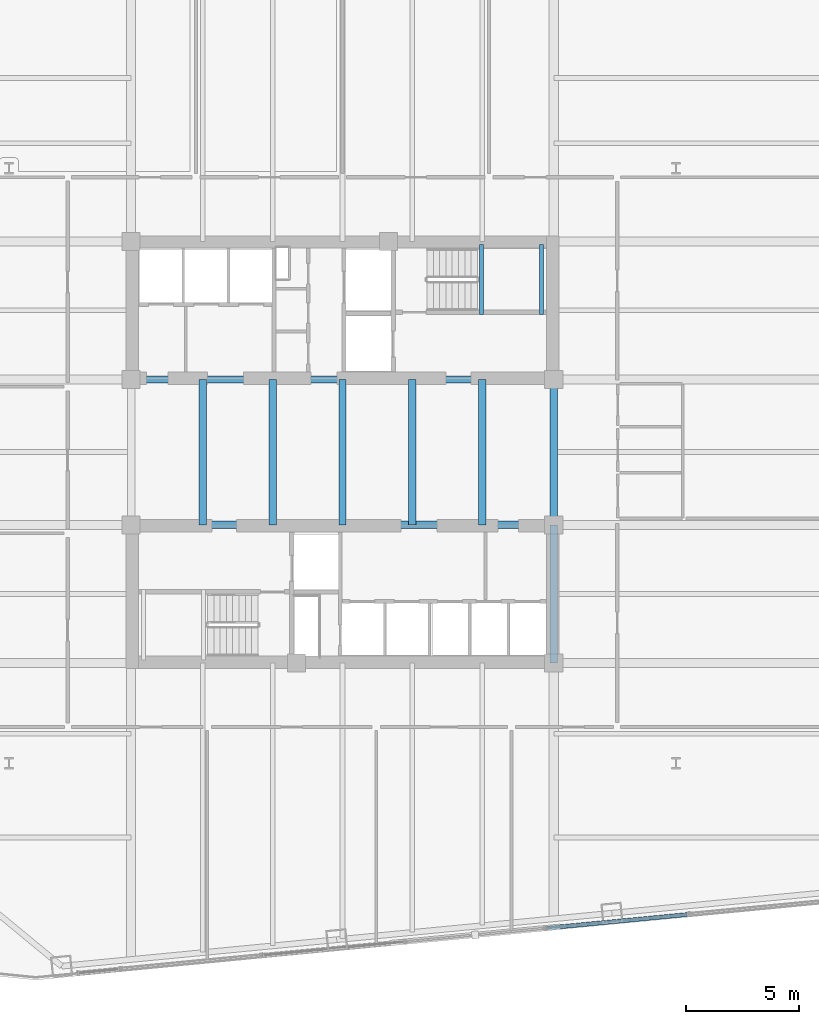
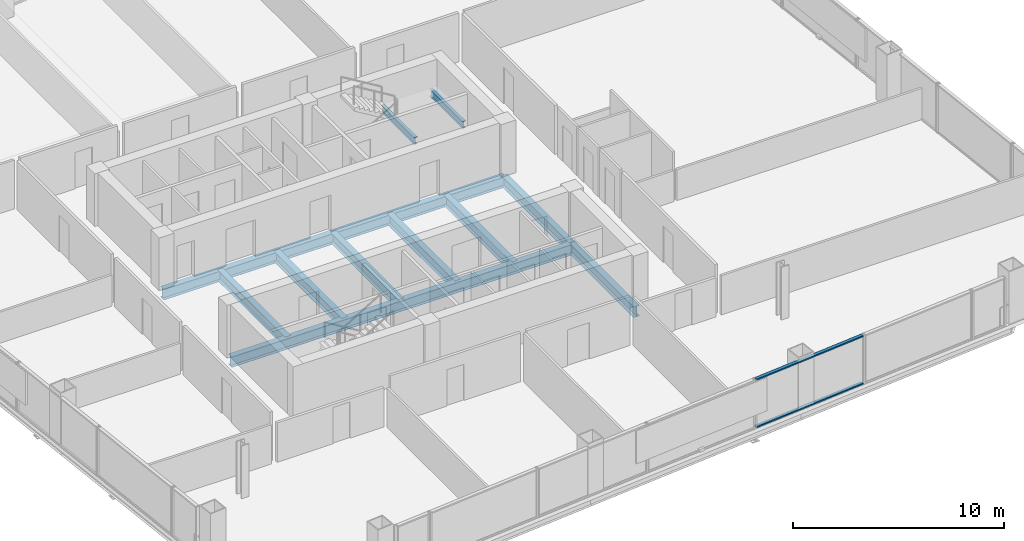
# One storey, part 9 of 28: 11 beams, 2 members, 1 element without a shape of its own.
"""IFC4 building model written with IfcOpenShell, lengths in metres."""

from ifc_helpers import new_model, si_unit, direction, frame, origin, origin_2d, place, context, subcontext, project, spatial, hollow_rectangle, i_section, extrude, material, layer, layer_set, material_profile, profile_set, type_object, element, aggregate, save


model = new_model("IFC4")

# Units and contexts
model_context = context("Model", 3, precision=1e-05, world=origin(), true_north=direction((0.0, 1.0)))
body_context = subcontext(model_context, "Body", "Model", "MODEL_VIEW")
ifc_project = project(units=[si_unit("LENGTHUNIT", "METRE"), si_unit("AREAUNIT", "SQUARE_METRE"), si_unit("VOLUMEUNIT", "CUBIC_METRE"), si_unit("PLANEANGLEUNIT", "RADIAN"), si_unit("MASSUNIT", "GRAM", prefix="KILO")], contexts=[model_context])

# Site, building, storey
site_placement = place(None, origin())
site = spatial("IfcSite", under=ifc_project, at=site_placement, CompositionType="ELEMENT")
building_placement = place(site_placement, origin())
building = spatial("IfcBuilding", under=site, at=building_placement, Name="Qhalaya Broadcast Tower", CompositionType="ELEMENT")
storey_placement = place(building_placement, frame((0.0, 0.0, 90.800048828125)))
storey = spatial("IfcBuildingStorey", under=building, at=storey_placement, Name="L26", CompositionType="ELEMENT", Elevation=90.800048828125)

# Beams
ifc_material_1 = material(Name="Structural Steel ASTM A992 Grade 50", Category="steel")
ifc_material_profile_1 = material_profile(ifc_material_1, i_section(OverallWidth=0.323974609375, OverallDepth=0.612060546875, WebThickness=0.0126953125, FlangeThickness=0.01904296875, at=origin_2d()), Name="W24X104")
ifc_profile_set_1 = profile_set([ifc_material_profile_1], Name="Structural Steel ASTM A992 Grade 50")
beam_type_1 = type_object("IfcBeamType", Name="Core Frame Tie Beam B04", PredefinedType="BEAM", material=ifc_profile_set_1)
for number, where, z_axis, x_axis, name in (
    (1, (-9.375, 3.824951171875, -0.526123046875), (1.0, 0.0, 0.0), (0.0, 1.0, 0.0), "L26 B04 L26-CCN1"),
    (2, (-9.375, -2.625, -0.526123046875), (1.0, 0.0, 0.0), (0.0, 1.0, 0.0), "L26 B04 L26-CCS1"),
):
    element("IfcBeam", number, at=place(storey_placement, frame(where, z_axis=z_axis, x_axis=x_axis)), inside=storey, type_object=beam_type_1, Name=name, PredefinedType="BEAM", context=body_context, shape_type="SweptSolid", body=[
        extrude(i_section(OverallWidth=0.323974609375, OverallDepth=0.612060546875, WebThickness=0.0126953125, FlangeThickness=0.01904296875, at=origin_2d()), origin(), (0.0, 0.0, 1.0), 18.75),
    ])
beam_placement = place(storey_placement, frame((9.375, -8.75, -0.526123046875), z_axis=(0.0, 1.0, 0.0), x_axis=(-1.0, 0.0, 0.0)))
element("IfcBeam", 3, at=beam_placement, inside=storey, type_object=beam_type_1, Name="L26 B04 L26-CCS2", PredefinedType="BEAM", context=body_context, shape_type="SweptSolid", body=[
    extrude(i_section(OverallWidth=0.323974609375, OverallDepth=0.612060546875, WebThickness=0.0126953125, FlangeThickness=0.01904296875, at=origin_2d()), origin(), (0.0, 0.0, 1.0), 6.125),
])
for number, where, z_axis, x_axis, name in (
    (4, (9.375, -2.625, -0.526123046875), (0.0, 1.0, 0.0), (-1.0, 0.0, 0.0), "L26 B04 L26-CCE"),
    (5, (-6.199951171875, -2.625, -0.526123046875), (0.0, 1.0, 0.0), (-1.0, 0.0, 0.0), "L26 B04 L26-JC1-1"),
    (6, (-3.10009765625, -2.625, -0.526123046875), (0.0, 1.0, 0.0), (-1.0, 0.0, 0.0), "L26 B04 L26-JC2-1"),
    (7, (0.0, -2.625, -0.526123046875), (0.0, 1.0, 0.0), (-1.0, 0.0, 0.0), "L26 B04 L26-JC3-1"),
    (8, (3.10009765625, -2.625, -0.526123046875), (0.0, 1.0, 0.0), (-1.0, 0.0, 0.0), "L26 B04 L26-JC4-1"),
    (9, (6.199951171875, -2.625, -0.526123046875), (0.0, 1.0, 0.0), (-1.0, 0.0, 0.0), "L26 B04 L26-JC5-1"),
):
    element("IfcBeam", number, at=place(storey_placement, frame(where, z_axis=z_axis, x_axis=x_axis)), inside=storey, type_object=beam_type_1, Name=name, PredefinedType="BEAM", context=body_context, shape_type="SweptSolid", body=[
        extrude(i_section(OverallWidth=0.323974609375, OverallDepth=0.612060546875, WebThickness=0.0126953125, FlangeThickness=0.01904296875, at=origin_2d()), origin(), (0.0, 0.0, 1.0), 6.449951171875),
    ])

# Curtain wall, members
ifc_material_2 = material(Name="Solar-Control Low-E Triple Glazing", Category="glass")
ifc_layer = layer(ifc_material_2, 0.219970703125, Name="Solar-Control Low-E Triple Glazing")
ifc_layer_set = layer_set([ifc_layer], Name="Solar-Control Low-E Triple Glazing")
curtain_wall_type = type_object("IfcCurtainWallType", Name="Even-Block 4-Storey Double-Module Curtain Wall CW-03", PredefinedType="NOTDEFINED", material=ifc_layer_set)
curtain_wall_placement = place(storey_placement, origin())
curtain_wall = element("IfcCurtainWall", 10, at=curtain_wall_placement, inside=storey, type_object=curtain_wall_type, Name="L26 Unitised Curtain Wall L26-CW-S5", PredefinedType="NOTDEFINED")
ifc_material_3 = material(Name="Anodised Aluminium 6063-T6", Category="aluminium")
ifc_material_profile_2 = material_profile(ifc_material_3, hollow_rectangle(XDim=0.074951171875, YDim=0.179931640625, WallThickness=0.00390625, at=origin_2d()), Name="ALU-TRN 75x180x4")
ifc_profile_set_2 = profile_set([ifc_material_profile_2], Name="Anodised Aluminium 6063-T6")
member_type = type_object("IfcMemberType", Name="Unitised Curtain-Wall Transom T01", PredefinedType="USERDEFINED", material=ifc_profile_set_2)
member_1_placement = place(storey_placement, frame((9.08740234375, -20.51904296875, 0.037353515625), z_axis=(0.995395316305, 0.095854912644, 0.0), x_axis=(0.0, 0.0, 1.0)))
member_1 = element("IfcMember", 11, at=member_1_placement, type_object=member_type, Name="CW-03 transom 1.1", ObjectType="TRANSOM", PredefinedType="USERDEFINED", context=body_context, shape_type="SweptSolid", body=[
    extrude(hollow_rectangle(XDim=0.074951171875, YDim=0.179931640625, WallThickness=0.00390625, at=origin_2d()), origin(), (0.0, 0.0, 1.0), 6.235107421875),
])
member_2_placement = place(storey_placement, frame((9.08740234375, -20.51904296875, 2.79248046875), z_axis=(0.995395316305, 0.095854912644, 0.0), x_axis=(0.0, 0.0, 1.0)))
member_2 = element("IfcMember", 12, at=member_2_placement, type_object=member_type, Name="CW-03 transom 1.2", ObjectType="TRANSOM", PredefinedType="USERDEFINED", context=body_context, shape_type="SweptSolid", body=[
    extrude(hollow_rectangle(XDim=0.074951171875, YDim=0.179931640625, WallThickness=0.00390625, at=origin_2d()), origin(), (0.0, 0.0, 1.0), 6.235107421875),
])
aggregate(curtain_wall, [member_1, member_2])

# Beams
ifc_material_profile_3 = material_profile(ifc_material_1, i_section(OverallWidth=0.177978515625, OverallDepth=0.406005859375, WebThickness=0.0078125, FlangeThickness=0.0126953125, at=origin_2d()), Name="W16X40")
ifc_profile_set_3 = profile_set([ifc_material_profile_3], Name="Structural Steel ASTM A992 Grade 50")
beam_type_2 = type_object("IfcBeamType", Name="Upper Perimeter Spandrel Beam SP2", PredefinedType="SPANDREL", material=ifc_profile_set_3)
for number, where, z_axis, x_axis, name in (
    (13, (6.175048828125, 6.699951171875, 1.1220703125), (0.0, 1.0, 0.0), (-1.0, 0.0, 0.0), "L26 ST-1 Half-Landing Bearer Beam 1"),
    (14, (8.830078125, 6.699951171875, 1.1220703125), (0.0, 1.0, 0.0), (-1.0, 0.0, 0.0), "L26 ST-1 Half-Landing Bearer Beam 2"),
):
    element("IfcBeam", number, at=place(storey_placement, frame(where, z_axis=z_axis, x_axis=x_axis)), inside=storey, type_object=beam_type_2, Name=name, PredefinedType="SPANDREL", context=body_context, shape_type="SweptSolid", body=[
        extrude(i_section(OverallWidth=0.177978515625, OverallDepth=0.406005859375, WebThickness=0.0078125, FlangeThickness=0.0126953125, at=origin_2d()), origin(), (0.0, 0.0, 1.0), 3.1201171875),
    ])

save(model, "model.ifc")
